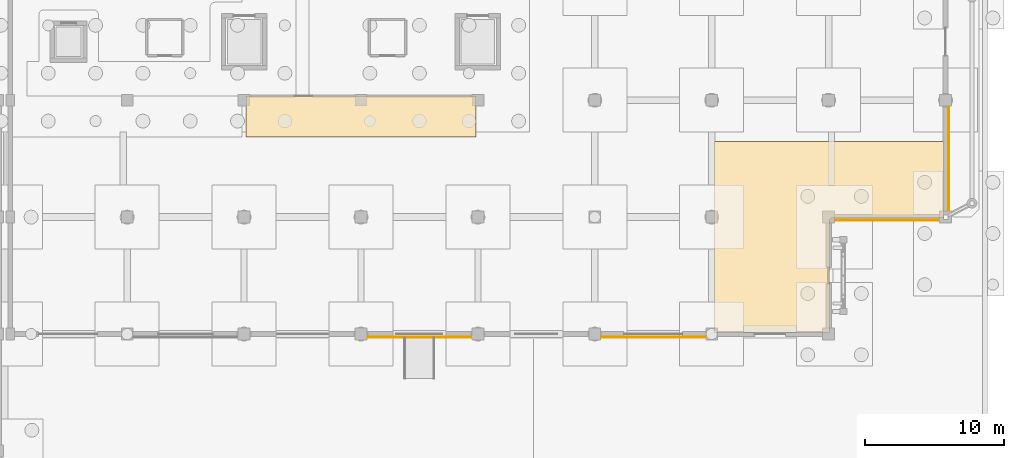
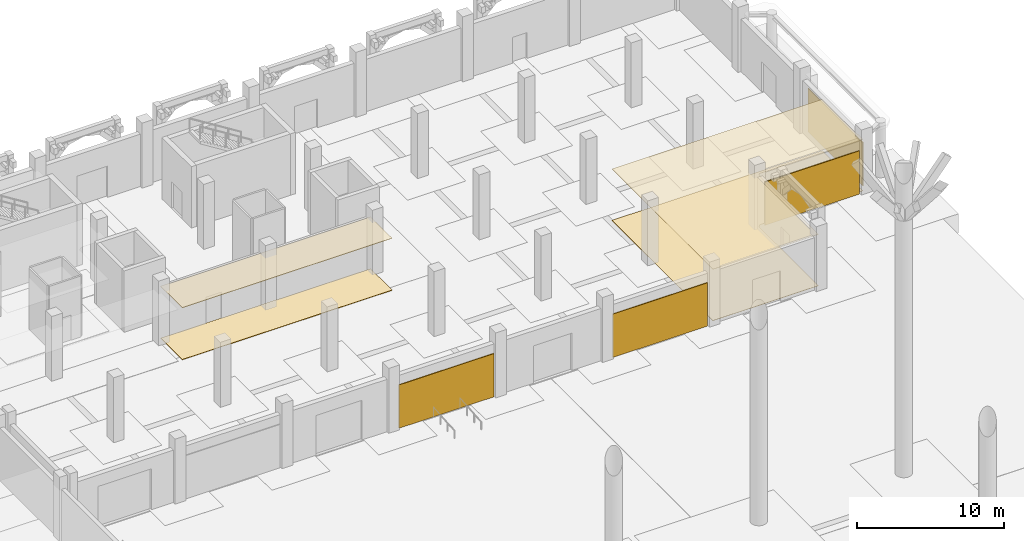
# One storey, part 95 of 98: 8 coverings.
"""IFC4 building model written with IfcOpenShell, lengths in metres."""

from ifc_helpers import new_model, si_unit, direction, frame, origin, origin_2d, place, context, subcontext, project, spatial, polyline, rectangle, outline, extrude, material, layer, layer_set, type_object, element, save


model = new_model("IFC4")

# Units and contexts
model_context = context("Model", 3, precision=1e-05, world=origin(), true_north=direction((0.0, 1.0)))
body_context = subcontext(model_context, "Body", "Model", "MODEL_VIEW")
ifc_project = project(units=[si_unit("LENGTHUNIT", "METRE"), si_unit("AREAUNIT", "SQUARE_METRE"), si_unit("VOLUMEUNIT", "CUBIC_METRE"), si_unit("PLANEANGLEUNIT", "RADIAN"), si_unit("MASSUNIT", "GRAM", prefix="KILO")], contexts=[model_context])

# Site, building, storey
site_placement = place(None, origin())
site = spatial("IfcSite", under=ifc_project, at=site_placement, CompositionType="ELEMENT")
building_placement = place(site_placement, origin())
building = spatial("IfcBuilding", under=site, at=building_placement, Name="Xazarin Passage Department Store", CompositionType="ELEMENT")
storey_placement = place(building_placement, origin())
storey = spatial("IfcBuildingStorey", under=building, at=storey_placement, Name="L00", CompositionType="ELEMENT", Elevation=0.0)

# Coverings
ifc_material_1 = material(Name="Absheron limestone cladding", Category="masonry")
ifc_layer_1 = layer(ifc_material_1, 0.06005859375)
ifc_layer_set_1 = layer_set([ifc_layer_1], Name="Absheron limestone cladding")
covering_type_1 = type_object("IfcCoveringType", Name="ARC-COV-CLD060", PredefinedType="CLADDING", material=ifc_layer_set_1)
for number, where, z_axis, x_axis, name in (
    (1, (131.800048828125, 76.179931640625, 0.0), (0.0, 0.0, 1.0), (1.0, 0.0, 0.0), "L00 Absheron Limestone Plinth Cladding 250"),
    (2, (148.60009765625, 76.179931640625, 0.0), (0.0, 0.0, 1.0), (1.0, 0.0, 0.0), "L00 Absheron Limestone Plinth Cladding 252"),
    (3, (165.39990234375, 84.580078125, 0.0), (0.0, 0.0, 1.0), (1.0, 0.0, 0.0), "L00 Absheron Limestone Plinth Cladding 254"),
    (4, (169.820068359375, 89.0, 0.0), (0.0, 0.0, 1.0), (0.0, 1.0, 0.0), "L00 Absheron Limestone Plinth Cladding 268"),
):
    element("IfcCovering", number, at=place(storey_placement, frame(where, z_axis=z_axis, x_axis=x_axis)), inside=storey, type_object=covering_type_1, Name=name, PredefinedType="CLADDING", context=body_context, shape_type="SweptSolid", body=[
        extrude(rectangle(XDim=7.449951171875, YDim=0.06005859375, at=origin_2d()), origin(), (0.0, 0.0, 1.0), 3.60009765625),
    ])
ifc_material_2 = material(Name="Acoustic mineral ceiling")
ifc_layer_2 = layer(ifc_material_2, 0.030029296875)
ifc_layer_set_2 = layer_set([ifc_layer_2], Name="Acoustic mineral ceiling")
covering_type_2 = type_object("IfcCoveringType", Name="ARC-COV-CLG030", PredefinedType="CEILING", material=ifc_layer_set_2)
covering_1_placement = place(storey_placement, frame((0.0, 0.0, 4.27001953125)))
element("IfcCovering", 5, at=covering_1_placement, inside=storey, type_object=covering_type_2, Name="L00 Loading Dock Acoustic Ceiling", PredefinedType="CEILING", context=body_context, shape_type="SweptSolid", body=[
    extrude(outline(polyline([(161.5, 84.75), (169.5, 84.75), (169.5, 90.25), (152.949951171875, 90.25), (152.949951171875, 76.5), (161.25, 76.5), (161.25, 84.5), (161.251220703125, 84.5244140625), (161.2548828125, 84.548828125), (161.2607421875, 84.572509765625), (161.26904296875, 84.595703125), (161.279541015625, 84.617919921875), (161.2919921875, 84.638916015625), (161.306640625, 84.65869140625), (161.3232421875, 84.6767578125), (161.34130859375, 84.693359375), (161.361083984375, 84.7080078125), (161.382080078125, 84.720458984375), (161.404296875, 84.73095703125), (161.427490234375, 84.7392578125), (161.451171875, 84.7451171875), (161.4755859375, 84.748779296875), (161.5, 84.75)])), origin(), (0.0, 0.0, 1.0), 0.030029296875),
])
ifc_layer_3 = layer(ifc_material_2, 0.0400390625)
ifc_layer_set_3 = layer_set([ifc_layer_3], Name="Acoustic mineral ceiling")
covering_type_3 = type_object("IfcCoveringType", Name="ARC-COV-CLG040", PredefinedType="CEILING", material=ifc_layer_set_3)
covering_2_placement = place(storey_placement, frame((0.0, 0.0, 4.31005859375)))
element("IfcCovering", 6, at=covering_2_placement, inside=storey, type_object=covering_type_3, Name="L00 Mechanical Plant Room Acoustic Ceiling", PredefinedType="CEILING", context=body_context, shape_type="SweptSolid", body=[
    extrude(outline(polyline([(135.85009765625, 93.5), (119.35009765625, 93.5), (119.35009765625, 90.550048828125), (135.85009765625, 90.550048828125), (135.85009765625, 93.5)])), origin(), (0.0, 0.0, 1.0), 0.0400390625),
])
ifc_material_3 = material(Name="Terrazzo stone flooring", Category="masonry")
ifc_layer_4 = layer(ifc_material_3, 0.02490234375)
ifc_layer_set_4 = layer_set([ifc_layer_4], Name="Terrazzo stone flooring")
covering_type_4 = type_object("IfcCoveringType", Name="ARC-COV-FLR025", PredefinedType="FLOORING", material=ifc_layer_set_4)
covering_3_placement = place(storey_placement, origin())
element("IfcCovering", 7, at=covering_3_placement, inside=storey, type_object=covering_type_4, Name="L00 Loading Dock Terrazzo Flooring", PredefinedType="FLOORING", context=body_context, shape_type="SweptSolid", body=[
    extrude(outline(polyline([(161.5, 84.75), (169.5, 84.75), (169.5, 90.25), (152.949951171875, 90.25), (152.949951171875, 76.5), (161.25, 76.5), (161.25, 84.5), (161.251220703125, 84.5244140625), (161.2548828125, 84.548828125), (161.2607421875, 84.572509765625), (161.26904296875, 84.595703125), (161.279541015625, 84.617919921875), (161.2919921875, 84.638916015625), (161.306640625, 84.65869140625), (161.3232421875, 84.6767578125), (161.34130859375, 84.693359375), (161.361083984375, 84.7080078125), (161.382080078125, 84.720458984375), (161.404296875, 84.73095703125), (161.427490234375, 84.7392578125), (161.451171875, 84.7451171875), (161.4755859375, 84.748779296875), (161.5, 84.75)])), origin(), (0.0, 0.0, 1.0), 0.02490234375),
])
ifc_layer_5 = layer(ifc_material_3, 0.034912109375)
ifc_layer_set_5 = layer_set([ifc_layer_5], Name="Terrazzo stone flooring")
covering_type_5 = type_object("IfcCoveringType", Name="ARC-COV-FLR035", PredefinedType="FLOORING", material=ifc_layer_set_5)
covering_4_placement = place(storey_placement, origin())
element("IfcCovering", 8, at=covering_4_placement, inside=storey, type_object=covering_type_5, Name="L00 Mechanical Plant Room Terrazzo Flooring", PredefinedType="FLOORING", context=body_context, shape_type="SweptSolid", body=[
    extrude(outline(polyline([(135.85009765625, 93.5), (119.35009765625, 93.5), (119.35009765625, 90.550048828125), (135.85009765625, 90.550048828125), (135.85009765625, 93.5)])), origin(), (0.0, 0.0, 1.0), 0.034912109375),
])

save(model, "model.ifc")
